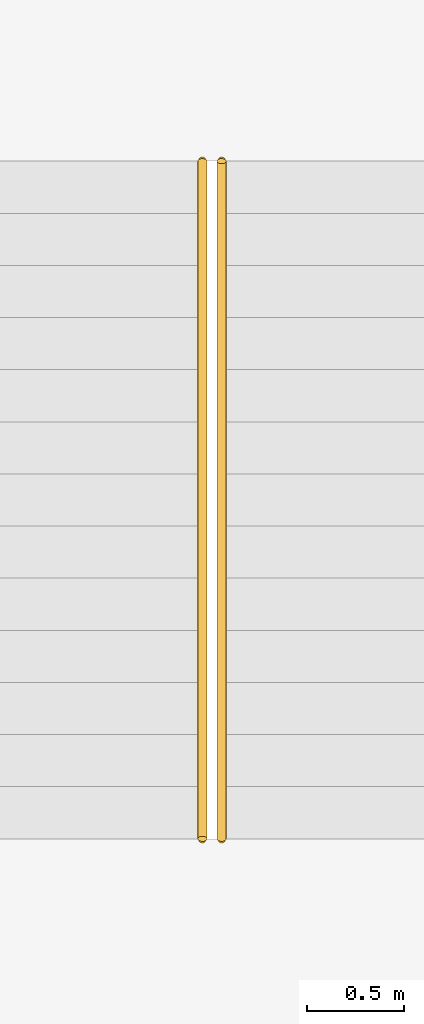
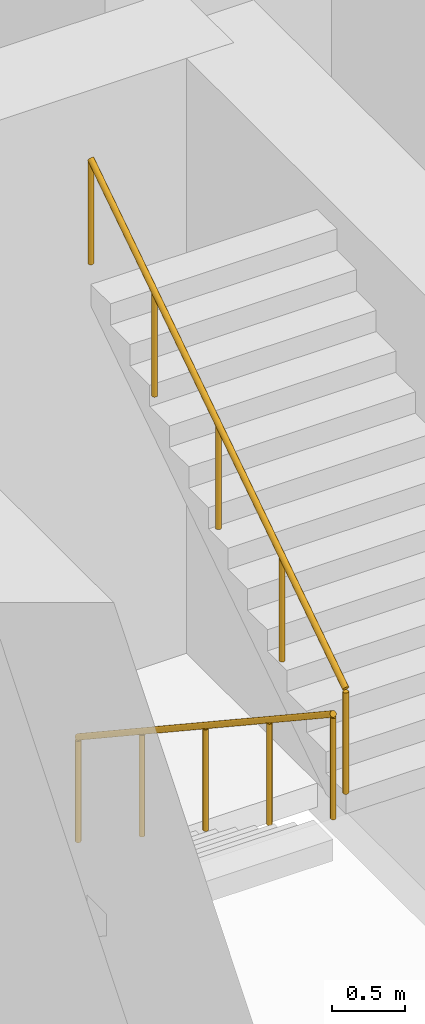
# One storey, part 16 of 16: 2 railings.
"""IFC4 building model written with IfcOpenShell, lengths in metres."""

from ifc_helpers import new_model, si_unit, direction, frame, origin, origin_2d, place, context, subcontext, project, spatial, circle, extrude, material, type_object, element, save


model = new_model("IFC4")

# Units and contexts
model_context = context("Model", 3, precision=1e-05, world=origin(), true_north=direction((0.0, 1.0)))
body_context = subcontext(model_context, "Body", "Model", "MODEL_VIEW")
ifc_project = project(units=[si_unit("LENGTHUNIT", "METRE"), si_unit("AREAUNIT", "SQUARE_METRE"), si_unit("VOLUMEUNIT", "CUBIC_METRE"), si_unit("PLANEANGLEUNIT", "RADIAN"), si_unit("MASSUNIT", "GRAM", prefix="KILO")], contexts=[model_context])

# Site, building, storey
site_placement = place(None, origin())
site = spatial("IfcSite", under=ifc_project, at=site_placement, CompositionType="ELEMENT")
building_placement = place(site_placement, origin())
building = spatial("IfcBuilding", under=site, at=building_placement, Name="Cleftline Residences", CompositionType="ELEMENT")
storey_placement = place(building_placement, frame((0.0, 0.0, 16.0)))
storey = spatial("IfcBuildingStorey", under=building, at=storey_placement, Name="L03", CompositionType="ELEMENT", Elevation=16.0)

# Railings
ifc_material = material(Name="Stainless steel", Category="steel")
railing_type = type_object("IfcRailingType", Name="HANDRAIL 900", PredefinedType="HANDRAIL", material=ifc_material)
railing_1_placement = place(storey_placement, frame((61.824951171875, 26.175048828125, 0.1787109375)))
element("IfcRailing", 1, at=railing_1_placement, inside=storey, type_object=railing_type, Name="Stair handrail", PredefinedType="HANDRAIL", context=body_context, shape_type="SweptSolid", body=[
    extrude(circle(Radius=0.02392578125, at=origin_2d()), frame((0.0, 0.0, 0.8759765625), z_axis=(0.0, -0.834097473627, 0.551617081397), x_axis=(1.0, 0.0, 0.0)), (0.0, 0.0, 1.0), 4.208251953125),
    extrude(circle(Radius=0.02099609375, at=origin_2d()), origin(), (0.0, 0.0, 1.0), 0.851806640625),
    extrude(circle(Radius=0.02099609375, at=origin_2d()), frame((0.0, -0.87744140625, 0.580322265625)), (0.0, 0.0, 1.0), 0.851806640625),
    extrude(circle(Radius=0.02099609375, at=origin_2d()), frame((0.0, -1.7548828125, 1.16064453125)), (0.0, 0.0, 1.0), 0.851806640625),
    extrude(circle(Radius=0.02099609375, at=origin_2d()), frame((0.0, -2.632568359375, 1.740966796875)), (0.0, 0.0, 1.0), 0.851806640625),
    extrude(circle(Radius=0.02099609375, at=origin_2d()), frame((0.0, -3.510009765625, 2.3212890625)), (0.0, 0.0, 1.0), 0.851806640625),
])
railing_2_placement = place(storey_placement, frame((61.925048828125, 22.6650390625, 2.6787109375)))
element("IfcRailing", 2, at=railing_2_placement, inside=storey, type_object=railing_type, Name="Stair handrail", PredefinedType="HANDRAIL", context=body_context, shape_type="SweptSolid", body=[
    extrude(circle(Radius=0.02392578125, at=origin_2d()), frame((0.0, 0.0, 0.8759765625), z_axis=(0.0, 0.834097473627, 0.551617081397), x_axis=(-1.0, 0.0, 0.0)), (0.0, 0.0, 1.0), 4.208251953125),
    extrude(circle(Radius=0.02099609375, at=origin_2d()), origin(), (0.0, 0.0, 1.0), 0.851806640625),
    extrude(circle(Radius=0.02099609375, at=origin_2d()), frame((0.0, 0.87744140625, 0.580322265625)), (0.0, 0.0, 1.0), 0.851806640625),
    extrude(circle(Radius=0.02099609375, at=origin_2d()), frame((0.0, 1.7548828125, 1.16064453125)), (0.0, 0.0, 1.0), 0.851806640625),
    extrude(circle(Radius=0.02099609375, at=origin_2d()), frame((0.0, 2.632568359375, 1.740966796875)), (0.0, 0.0, 1.0), 0.851806640625),
    extrude(circle(Radius=0.02099609375, at=origin_2d()), frame((0.0, 3.510009765625, 2.3212890625)), (0.0, 0.0, 1.0), 0.851806640625),
])

save(model, "model.ifc")
